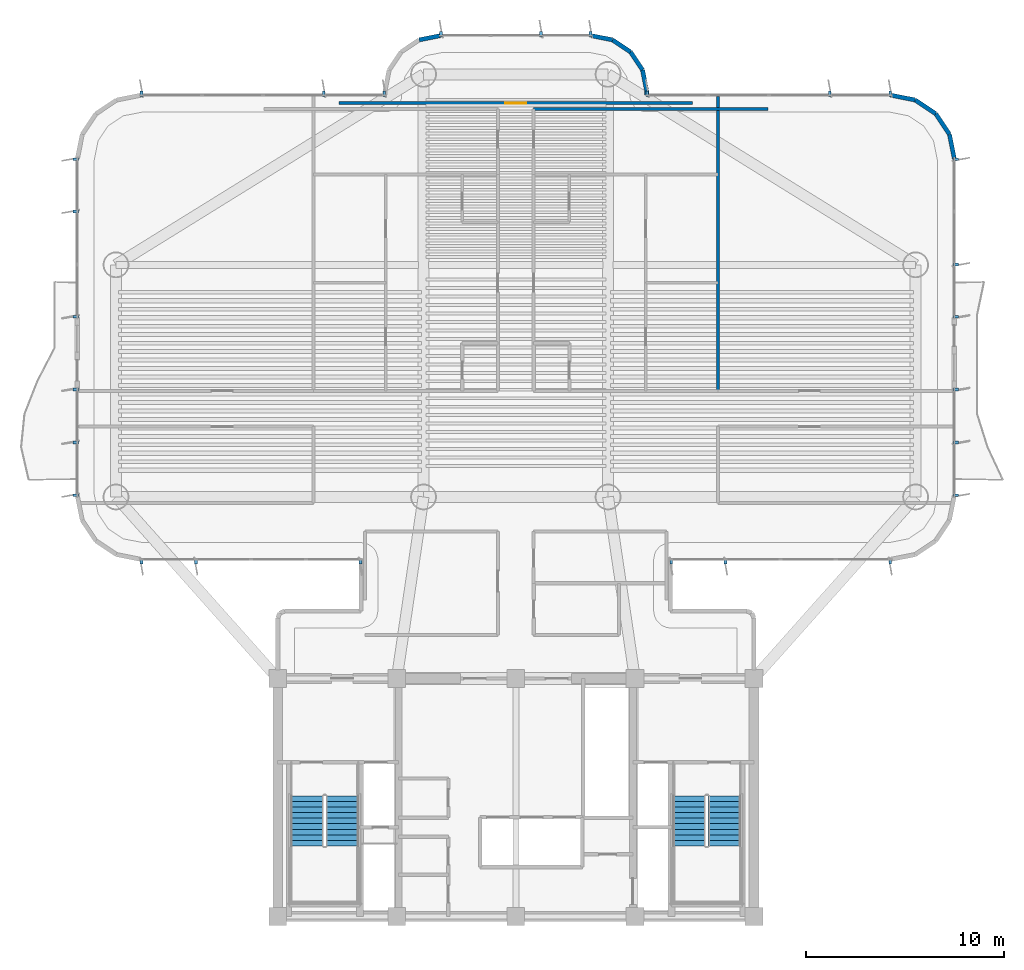
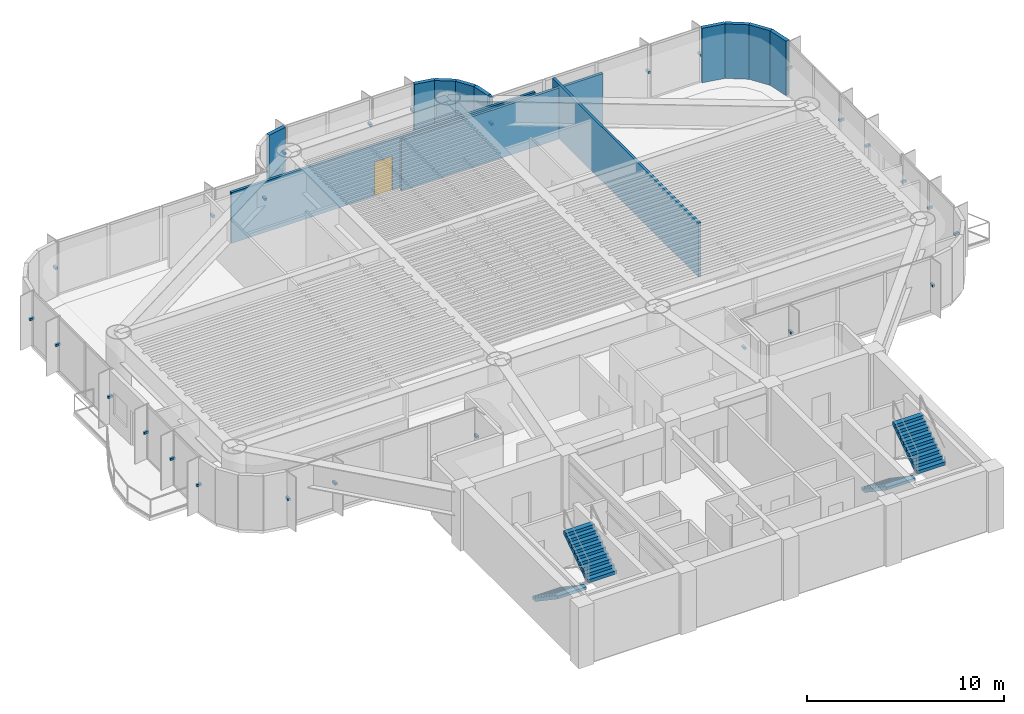
# One storey, part 11 of 15: 27 discrete accessories, 13 walls, 4 stair flights, 1 door, 1 opening, 2 elements without a shape of their own.
"""IFC4 building model written with IfcOpenShell, lengths in metres."""

from ifc_helpers import new_model, si_unit, direction, frame, frame_2d, origin, origin_2d, place, context, subcontext, project, spatial, polyline, rectangle, outline, extrude, source, transform, mapped, material, layer, layer_set, type_object, element, fill, aggregate, save


model = new_model("IFC4")

# Units and contexts
model_context = context("Model", 3, precision=1e-05, world=origin(), true_north=direction((0.0, 1.0)))
body_context = subcontext(model_context, "Body", "Model", "MODEL_VIEW")
ifc_project = project(units=[si_unit("LENGTHUNIT", "METRE"), si_unit("AREAUNIT", "SQUARE_METRE"), si_unit("VOLUMEUNIT", "CUBIC_METRE"), si_unit("PLANEANGLEUNIT", "RADIAN"), si_unit("MASSUNIT", "GRAM", prefix="KILO")], contexts=[model_context])

# Site, building, storey
site_placement = place(None, origin())
site = spatial("IfcSite", under=ifc_project, at=site_placement, CompositionType="ELEMENT")
building_placement = place(site_placement, origin())
building = spatial("IfcBuilding", under=site, at=building_placement, Name="Brelvock Crest Care Tower", CompositionType="ELEMENT")
storey_placement = place(building_placement, frame((0.0, 0.0, 142.739990234375)))
storey = spatial("IfcBuildingStorey", under=building, at=storey_placement, Name="L36", CompositionType="ELEMENT", Elevation=142.739990234375)

# Walls
ifc_material_1 = material(Name="Precast concrete N40 (40 MPa)", Category="concrete")
ifc_layer_1 = layer(ifc_material_1, 0.215087890625, Name="WL-EX2")
ifc_layer_set_1 = layer_set([ifc_layer_1], Name="Precast concrete N40 (40 MPa)")
wall_type_1 = type_object("IfcWallType", Name="WL-EX2", PredefinedType="SOLIDWALL", material=ifc_layer_set_1)
for number, where, z_axis, x_axis, name in (
    (1, (31.12841796875, 50.18701171875, 0.0), (0.0, 0.0, 1.0), (0.980829143587, 0.194869677195, 0.0), "L36 Rounded Corner Wall 27"),
    (2, (39.800048828125, 50.39990234375, 0.0), (0.0, 0.0, 1.0), (0.980829143587, -0.194869677195, 0.0), "L36 Rounded Corner Wall 29"),
    (3, (40.87158203125, 50.18701171875, 0.0), (0.0, 0.0, 1.0), (0.831327592857, -0.555782721353, 0.0), "L36 Rounded Corner Wall 30"),
):
    element("IfcWall", number, at=place(storey_placement, frame(where, z_axis=z_axis, x_axis=x_axis)), inside=storey, type_object=wall_type_1, Name=name, PredefinedType="SOLIDWALL", context=body_context, shape_type="SweptSolid", body=[
        extrude(rectangle(XDim=1.092529296875, YDim=0.215087890625, at=frame_2d((0.54638671875, 0.0))), origin(), (0.0, 0.0, 1.0), 3.3720703125),
    ])
wall_1_placement = place(storey_placement, frame((41.77978515625, 49.579833984375, 0.0), z_axis=(0.0, 0.0, 1.0), x_axis=(0.555679482341, -0.831396603857, 0.0)))
element("IfcWall", 4, at=wall_1_placement, inside=storey, type_object=wall_type_1, Name="L36 Rounded Corner Wall 31", PredefinedType="SOLIDWALL", context=body_context, shape_type="SweptSolid", body=[
    extrude(rectangle(XDim=1.0927734375, YDim=0.215087890625, at=frame_2d((0.54638671875, 0.0))), origin(), (0.0, 0.0, 1.0), 3.3720703125),
])
wall_2_placement = place(storey_placement, frame((42.386962890625, 48.67138671875, 0.0), z_axis=(0.0, 0.0, 1.0), x_axis=(0.195127417394, -0.980777900945, 0.0)))
element("IfcWall", 5, at=wall_2_placement, inside=storey, type_object=wall_type_1, Name="L36 Rounded Corner Wall 32", PredefinedType="SOLIDWALL", context=body_context, shape_type="SweptSolid", body=[
    extrude(rectangle(XDim=1.09228515625, YDim=0.215087890625, at=frame_2d((0.546142578125, 0.0))), origin(), (0.0, 0.0, 1.0), 3.3720703125),
])
wall_3_placement = place(storey_placement, frame((42.60009765625, 47.60009765625, 0.0), z_axis=(0.0, 0.0, 1.0), x_axis=(0.0, -1.0, 0.0)))
element("IfcWall", 6, at=wall_3_placement, inside=storey, type_object=wall_type_1, Name="L36 Rounded Corner Wall 33", PredefinedType="SOLIDWALL", context=body_context, shape_type="SweptSolid", body=[
    extrude(rectangle(XDim=0.2001953125, YDim=0.215087890625, at=frame_2d((0.10009765625, 0.0))), origin(), (0.0, 0.0, 1.0), 3.3720703125),
])
for number, where, z_axis, x_axis, name in (
    (7, (54.89990234375, 47.39990234375, 0.0), (0.0, 0.0, 1.0), (0.980813122964, -0.194950295773, 0.0), "L36 Rounded Corner Wall 35"),
    (8, (56.12451171875, 47.156494140625, 0.0), (0.0, 0.0, 1.0), (0.831387912822, -0.555692485475, 0.0), "L36 Rounded Corner Wall 36"),
    (9, (57.16259765625, 46.462646484375, 0.0), (0.0, 0.0, 1.0), (0.555692485475, -0.831387912822, 0.0), "L36 Rounded Corner Wall 37"),
    (10, (57.8564453125, 45.424560546875, 0.0), (0.0, 0.0, 1.0), (0.195138390419, -0.980775717779, 0.0), "L36 Rounded Corner Wall 38"),
):
    element("IfcWall", number, at=place(storey_placement, frame(where, z_axis=z_axis, x_axis=x_axis)), inside=storey, type_object=wall_type_1, Name=name, PredefinedType="SOLIDWALL", context=body_context, shape_type="SweptSolid", body=[
        extrude(rectangle(XDim=1.24853515625, YDim=0.215087890625, at=frame_2d((0.624267578125, 0.0))), origin(), (0.0, 0.0, 1.0), 3.3720703125),
    ])
ifc_material_2 = material(Name="Masonry Blockwork Acoustic Partition", Category="masonry")
ifc_layer_2 = layer(ifc_material_2, 0.14990234375, Name="WL-INT1")
ifc_layer_set_2 = layer_set([ifc_layer_2], Name="Masonry Blockwork Acoustic Partition")
wall_type_2 = type_object("IfcWallType", Name="WL-INT1", PredefinedType="PARTITIONING", material=ifc_layer_set_2)
wall_4_placement = place(storey_placement, frame((36.89990234375, 46.699951171875, 0.0), z_axis=(0.0, 0.0, 1.0), x_axis=(1.0, 0.0, 0.0)))
element("IfcWall", 11, at=wall_4_placement, inside=storey, type_object=wall_type_2, Name="L36 Interior Wall WL-BX-L36-INEN-N", PredefinedType="PARTITIONING", context=body_context, shape_type="SweptSolid", body=[
    extrude(rectangle(XDim=11.800048828125, YDim=0.14990234375, at=frame_2d((5.89990234375, 0.0))), origin(), (0.0, 0.0, 1.0), 3.14990234375),
])

# Wall, opening, door
wall_5_placement = place(storey_placement, frame((27.10009765625, 47.0, 0.0), z_axis=(0.0, 0.0, 1.0), x_axis=(1.0, 0.0, 0.0)))
wall_5 = element("IfcWall", 12, at=wall_5_placement, inside=storey, type_object=wall_type_2, Name="L36 Interior Wall WL-RM-L36-NHUB", PredefinedType="PARTITIONING", context=body_context, shape_type="SweptSolid", body=[
    extrude(rectangle(XDim=17.7998046875, YDim=0.14990234375, at=frame_2d((8.89990234375, 0.0))), origin(), (0.0, 0.0, 1.0), 3.14990234375),
])
opening_placement = place(wall_5_placement, frame((8.375, 0.0, 0.0)))
opening = element("IfcOpeningElement", 13, at=opening_placement, cuts=wall_5, Name="Opening CLD-1", PredefinedType="OPENING", context=body_context, shape_type="SweptSolid", body=[
    extrude(rectangle(XDim=1.050048828125, YDim=2.10009765625, at=origin_2d()), frame((0.52490234375, 0.0849609375, 1.050048828125), z_axis=(0.0, -1.0, 0.0), x_axis=(1.0, 0.0, 0.0)), (0.0, 0.0, 1.0), 0.169921875),
])
ifc_material_3 = material(Name="Engineered Hardwood Timber", Category="wood")
door_type = type_object("IfcDoorType", Name="DR-CLN1", OperationType="NOTDEFINED", PredefinedType="DOOR", material=ifc_material_3)
shared_shape_1 = source(origin(), body_context, "Body", "SweptSolid", [
    extrude(rectangle(XDim=1.050048828125, YDim=2.10009765625, at=origin_2d()), frame((0.52490234375, 0.02490234375, 1.050048828125), z_axis=(0.0, -1.0, 0.0), x_axis=(1.0, 0.0, 0.0)), (0.0, 0.0, 1.0), 0.050048828125),
])
door_placement = place(opening_placement, origin())
door = element("IfcDoor", 14, at=door_placement, inside=storey, type_object=door_type, Name="L36 North Panorama Sunroom Door NHUB", OperationType="SINGLE_SWING_LEFT", OverallHeight=2.10009765625, OverallWidth=1.050048828125, PredefinedType="DOOR", context=body_context, shape_type="MappedRepresentation", body=[
    mapped(shared_shape_1, transform((0.0, 0.0, 0.0), x_axis=(1.0, 0.0, 0.0), y_axis=(0.0, 1.0, 0.0), z_axis=(0.0, 0.0, 1.0), scale=1.0)),
])
fill(opening, door)

# Wall
wall_6_placement = place(storey_placement, frame((46.199951171875, 32.5, 0.0), z_axis=(0.0, 0.0, 1.0), x_axis=(0.0, 1.0, 0.0)))
element("IfcWall", 15, at=wall_6_placement, inside=storey, type_object=wall_type_2, Name="L36 Interior Wall WL-BX-L36-INEO-W", PredefinedType="PARTITIONING", context=body_context, shape_type="SweptSolid", body=[
    extrude(rectangle(XDim=14.821044921875, YDim=0.14990234375, at=frame_2d((7.41064453125, 0.0))), origin(), (0.0, 0.0, 1.0), 3.342041015625),
])

# Stair, stair flights
ifc_material_4 = material(Name="Concrete N40 (40 MPa)", Category="concrete")
stair_type = type_object("IfcStairType", Name="ST-CORE1", PredefinedType="HALF_TURN_STAIR", material=ifc_material_4)
stair_1_placement = place(storey_placement, origin())
stair_1 = element("IfcStair", 16, at=stair_1_placement, inside=storey, type_object=stair_type, Name="L36 Fire-Isolated Core Stair ST-1", PredefinedType="HALF_TURN_STAIR")
stair_flight_type = type_object("IfcStairFlightType", Name="STF-1", PredefinedType="STRAIGHT", material=ifc_material_4)
stair_flight_1_placement = place(storey_placement, frame((25.469970703125, 12.080078125, 0.0), z_axis=(0.0, 0.0, 1.0), x_axis=(0.0, -1.0, 0.0)))
stair_flight_1 = element("IfcStairFlight", 17, at=stair_flight_1_placement, type_object=stair_flight_type, Name="ST-1 flight 1", NumberOfRisers=10, NumberOfTreads=9, PredefinedType="STRAIGHT", RiserHeight=0.189, TreadLength=0.28, context=body_context, shape_type="SweptSolid", body=[
    extrude(outline(polyline([(-0.00390625, -0.014892578125), (-0.00390625, -0.0078125), (-0.00390625, -0.00048828125), (-0.00390625, 0.0068359375), (-0.00390625, 0.01416015625), (-0.00390625, 0.021484375), (-0.00390625, 0.02880859375), (-0.00390625, 0.035888671875), (-0.00390625, 0.043212890625), (-0.00390625, 0.050537109375), (-0.00390625, 0.057861328125), (-0.00390625, 0.065185546875), (-0.00390625, 0.072509765625), (-0.00390625, 0.07958984375), (-0.00390625, 0.0869140625), (-0.00390625, 0.09423828125), (-0.00390625, 0.1015625), (-0.00390625, 0.10888671875), (-0.00390625, 0.1162109375), (-0.00390625, 0.12353515625), (-0.00390625, 0.130615234375), (-0.00390625, 0.137939453125), (-0.00390625, 0.145263671875), (-0.00390625, 0.152587890625), (-0.00390625, 0.159912109375), (-0.00390625, 0.167236328125), (-0.00390625, 0.17431640625), (-0.00390625, 0.181640625), (-0.00390625, 0.18896484375), (0.0, 0.18896484375), (0.280029296875, 0.18896484375), (0.280029296875, 0.3779296875), (0.56005859375, 0.3779296875), (0.56005859375, 0.56689453125), (0.840087890625, 0.56689453125), (0.840087890625, 0.756103515625), (1.1201171875, 0.756103515625), (1.1201171875, 0.945068359375), (1.39990234375, 0.945068359375), (1.39990234375, 1.134033203125), (1.679931640625, 1.134033203125), (1.679931640625, 1.322998046875), (1.9599609375, 1.322998046875), (1.9599609375, 1.511962890625), (2.239990234375, 1.511962890625), (2.239990234375, 1.700927734375), (2.52001953125, 1.700927734375), (2.52392578125, 1.700927734375), (2.523681640625, 1.70068359375), (2.52392578125, 1.700439453125), (2.523681640625, 1.699951171875), (2.52392578125, 1.69970703125), (2.523681640625, 1.699462890625), (2.52392578125, 1.698974609375), (2.523681640625, 1.69873046875), (2.52392578125, 1.698486328125), (2.523681640625, 1.697998046875), (2.52392578125, 1.69775390625), (2.523681640625, 1.697509765625), (2.52392578125, 1.697021484375), (2.523681640625, 1.69677734375), (2.52392578125, 1.696533203125), (2.523681640625, 1.6962890625), (2.52392578125, 1.69580078125), (2.523681640625, 1.695556640625), (2.52392578125, 1.6953125), (2.523681640625, 1.69482421875), (2.52392578125, 1.694580078125), (2.523681640625, 1.6943359375), (2.52392578125, 1.69384765625), (2.523681640625, 1.693603515625), (2.52392578125, 1.693359375), (2.523681640625, 1.69287109375), (2.52392578125, 1.692626953125), (2.523681640625, 1.6923828125), (2.52392578125, 1.69189453125), (2.52001953125, 1.520263671875), (0.267822265625, 0.0), (0.0, 0.0), (0.0, -0.014892578125), (-0.00390625, -0.014892578125)])), frame((0.0, 0.83984375, 0.0), z_axis=(0.0, -1.0, 0.0), x_axis=(1.0, 0.0, 0.0)), (0.0, 0.0, 1.0), 1.679931640625),
])
stair_flight_2_placement = place(storey_placement, frame((27.27001953125, 9.56005859375, 1.889892578125), z_axis=(0.0, 0.0, 1.0), x_axis=(0.0, 1.0, 0.0)))
stair_flight_2 = element("IfcStairFlight", 18, at=stair_flight_2_placement, type_object=stair_flight_type, Name="ST-1 flight 2", NumberOfRisers=10, NumberOfTreads=9, PredefinedType="STRAIGHT", RiserHeight=0.189, TreadLength=0.28, context=body_context, shape_type="SweptSolid", body=[
    extrude(outline(polyline([(-0.00390625, -0.014892578125), (-0.00390625, -0.0078125), (-0.00390625, -0.00048828125), (-0.00390625, 0.0068359375), (-0.00390625, 0.01416015625), (-0.00390625, 0.021484375), (-0.00390625, 0.02880859375), (-0.00390625, 0.035888671875), (-0.00390625, 0.043212890625), (-0.00390625, 0.050537109375), (-0.00390625, 0.057861328125), (-0.00390625, 0.065185546875), (-0.00390625, 0.072509765625), (-0.00390625, 0.07958984375), (-0.00390625, 0.0869140625), (-0.00390625, 0.09423828125), (-0.00390625, 0.1015625), (-0.00390625, 0.10888671875), (-0.00390625, 0.1162109375), (-0.00390625, 0.12353515625), (-0.00390625, 0.130615234375), (-0.00390625, 0.137939453125), (-0.00390625, 0.145263671875), (-0.00390625, 0.152587890625), (-0.00390625, 0.159912109375), (-0.00390625, 0.167236328125), (-0.00390625, 0.17431640625), (-0.00390625, 0.181640625), (-0.00390625, 0.18896484375), (0.0, 0.18896484375), (0.280029296875, 0.18896484375), (0.280029296875, 0.3779296875), (0.56005859375, 0.3779296875), (0.56005859375, 0.56689453125), (0.840087890625, 0.56689453125), (0.840087890625, 0.756103515625), (1.1201171875, 0.756103515625), (1.1201171875, 0.945068359375), (1.39990234375, 0.945068359375), (1.39990234375, 1.134033203125), (1.679931640625, 1.134033203125), (1.679931640625, 1.322998046875), (1.9599609375, 1.322998046875), (1.9599609375, 1.511962890625), (2.239990234375, 1.511962890625), (2.239990234375, 1.700927734375), (2.52001953125, 1.700927734375), (2.52392578125, 1.700927734375), (2.523681640625, 1.70068359375), (2.52392578125, 1.700439453125), (2.523681640625, 1.699951171875), (2.52392578125, 1.69970703125), (2.523681640625, 1.699462890625), (2.52392578125, 1.698974609375), (2.523681640625, 1.69873046875), (2.52392578125, 1.698486328125), (2.523681640625, 1.697998046875), (2.52392578125, 1.69775390625), (2.523681640625, 1.697509765625), (2.52392578125, 1.697021484375), (2.523681640625, 1.69677734375), (2.52392578125, 1.696533203125), (2.523681640625, 1.6962890625), (2.52392578125, 1.69580078125), (2.523681640625, 1.695556640625), (2.52392578125, 1.6953125), (2.523681640625, 1.69482421875), (2.52392578125, 1.694580078125), (2.523681640625, 1.6943359375), (2.52392578125, 1.69384765625), (2.523681640625, 1.693603515625), (2.52392578125, 1.693359375), (2.523681640625, 1.69287109375), (2.52392578125, 1.692626953125), (2.523681640625, 1.6923828125), (2.52392578125, 1.69189453125), (2.52001953125, 1.520263671875), (0.267822265625, 0.0), (0.0, 0.0), (0.0, -0.014892578125), (-0.00390625, -0.014892578125)])), frame((0.0, 0.83984375, 0.0), z_axis=(0.0, -1.0, 0.0), x_axis=(1.0, 0.0, 0.0)), (0.0, 0.0, 1.0), 1.679931640625),
])
aggregate(stair_1, [stair_flight_1, stair_flight_2])

stair_2_placement = place(storey_placement, origin())
stair_2 = element("IfcStair", 19, at=stair_2_placement, inside=storey, type_object=stair_type, Name="L36 Fire-Isolated Core Stair ST-2", PredefinedType="HALF_TURN_STAIR")
stair_flight_3_placement = place(storey_placement, frame((44.72998046875, 12.080078125, 0.0), z_axis=(0.0, 0.0, 1.0), x_axis=(0.0, -1.0, 0.0)))
stair_flight_3 = element("IfcStairFlight", 20, at=stair_flight_3_placement, type_object=stair_flight_type, Name="ST-2 flight 1", NumberOfRisers=10, NumberOfTreads=9, PredefinedType="STRAIGHT", RiserHeight=0.189, TreadLength=0.28, context=body_context, shape_type="SweptSolid", body=[
    extrude(outline(polyline([(-0.00390625, -0.014892578125), (-0.00390625, -0.0078125), (-0.00390625, -0.00048828125), (-0.00390625, 0.0068359375), (-0.00390625, 0.01416015625), (-0.00390625, 0.021484375), (-0.00390625, 0.02880859375), (-0.00390625, 0.035888671875), (-0.00390625, 0.043212890625), (-0.00390625, 0.050537109375), (-0.00390625, 0.057861328125), (-0.00390625, 0.065185546875), (-0.00390625, 0.072509765625), (-0.00390625, 0.07958984375), (-0.00390625, 0.0869140625), (-0.00390625, 0.09423828125), (-0.00390625, 0.1015625), (-0.00390625, 0.10888671875), (-0.00390625, 0.1162109375), (-0.00390625, 0.12353515625), (-0.00390625, 0.130615234375), (-0.00390625, 0.137939453125), (-0.00390625, 0.145263671875), (-0.00390625, 0.152587890625), (-0.00390625, 0.159912109375), (-0.00390625, 0.167236328125), (-0.00390625, 0.17431640625), (-0.00390625, 0.181640625), (-0.00390625, 0.18896484375), (0.0, 0.18896484375), (0.280029296875, 0.18896484375), (0.280029296875, 0.3779296875), (0.56005859375, 0.3779296875), (0.56005859375, 0.56689453125), (0.840087890625, 0.56689453125), (0.840087890625, 0.756103515625), (1.1201171875, 0.756103515625), (1.1201171875, 0.945068359375), (1.39990234375, 0.945068359375), (1.39990234375, 1.134033203125), (1.679931640625, 1.134033203125), (1.679931640625, 1.322998046875), (1.9599609375, 1.322998046875), (1.9599609375, 1.511962890625), (2.239990234375, 1.511962890625), (2.239990234375, 1.700927734375), (2.52001953125, 1.700927734375), (2.52392578125, 1.700927734375), (2.523681640625, 1.70068359375), (2.52392578125, 1.700439453125), (2.523681640625, 1.699951171875), (2.52392578125, 1.69970703125), (2.523681640625, 1.699462890625), (2.52392578125, 1.698974609375), (2.523681640625, 1.69873046875), (2.52392578125, 1.698486328125), (2.523681640625, 1.697998046875), (2.52392578125, 1.69775390625), (2.523681640625, 1.697509765625), (2.52392578125, 1.697021484375), (2.523681640625, 1.69677734375), (2.52392578125, 1.696533203125), (2.523681640625, 1.6962890625), (2.52392578125, 1.69580078125), (2.523681640625, 1.695556640625), (2.52392578125, 1.6953125), (2.523681640625, 1.69482421875), (2.52392578125, 1.694580078125), (2.523681640625, 1.6943359375), (2.52392578125, 1.69384765625), (2.523681640625, 1.693603515625), (2.52392578125, 1.693359375), (2.523681640625, 1.69287109375), (2.52392578125, 1.692626953125), (2.523681640625, 1.6923828125), (2.52392578125, 1.69189453125), (2.52001953125, 1.520263671875), (0.267822265625, 0.0), (0.0, 0.0), (0.0, -0.014892578125), (-0.00390625, -0.014892578125)])), frame((0.0, 0.83984375, 0.0), z_axis=(0.0, -1.0, 0.0), x_axis=(1.0, 0.0, 0.0)), (0.0, 0.0, 1.0), 1.679931640625),
])
stair_flight_4_placement = place(storey_placement, frame((46.530029296875, 9.56005859375, 1.889892578125), z_axis=(0.0, 0.0, 1.0), x_axis=(0.0, 1.0, 0.0)))
stair_flight_4 = element("IfcStairFlight", 21, at=stair_flight_4_placement, type_object=stair_flight_type, Name="ST-2 flight 2", NumberOfRisers=10, NumberOfTreads=9, PredefinedType="STRAIGHT", RiserHeight=0.189, TreadLength=0.28, context=body_context, shape_type="SweptSolid", body=[
    extrude(outline(polyline([(-0.00390625, -0.014892578125), (-0.00390625, -0.0078125), (-0.00390625, -0.00048828125), (-0.00390625, 0.0068359375), (-0.00390625, 0.01416015625), (-0.00390625, 0.021484375), (-0.00390625, 0.02880859375), (-0.00390625, 0.035888671875), (-0.00390625, 0.043212890625), (-0.00390625, 0.050537109375), (-0.00390625, 0.057861328125), (-0.00390625, 0.065185546875), (-0.00390625, 0.072509765625), (-0.00390625, 0.07958984375), (-0.00390625, 0.0869140625), (-0.00390625, 0.09423828125), (-0.00390625, 0.1015625), (-0.00390625, 0.10888671875), (-0.00390625, 0.1162109375), (-0.00390625, 0.12353515625), (-0.00390625, 0.130615234375), (-0.00390625, 0.137939453125), (-0.00390625, 0.145263671875), (-0.00390625, 0.152587890625), (-0.00390625, 0.159912109375), (-0.00390625, 0.167236328125), (-0.00390625, 0.17431640625), (-0.00390625, 0.181640625), (-0.00390625, 0.18896484375), (0.0, 0.18896484375), (0.280029296875, 0.18896484375), (0.280029296875, 0.3779296875), (0.56005859375, 0.3779296875), (0.56005859375, 0.56689453125), (0.840087890625, 0.56689453125), (0.840087890625, 0.756103515625), (1.1201171875, 0.756103515625), (1.1201171875, 0.945068359375), (1.39990234375, 0.945068359375), (1.39990234375, 1.134033203125), (1.679931640625, 1.134033203125), (1.679931640625, 1.322998046875), (1.9599609375, 1.322998046875), (1.9599609375, 1.511962890625), (2.239990234375, 1.511962890625), (2.239990234375, 1.700927734375), (2.52001953125, 1.700927734375), (2.52392578125, 1.700927734375), (2.523681640625, 1.70068359375), (2.52392578125, 1.700439453125), (2.523681640625, 1.699951171875), (2.52392578125, 1.69970703125), (2.523681640625, 1.699462890625), (2.52392578125, 1.698974609375), (2.523681640625, 1.69873046875), (2.52392578125, 1.698486328125), (2.523681640625, 1.697998046875), (2.52392578125, 1.69775390625), (2.523681640625, 1.697509765625), (2.52392578125, 1.697021484375), (2.523681640625, 1.69677734375), (2.52392578125, 1.696533203125), (2.523681640625, 1.6962890625), (2.52392578125, 1.69580078125), (2.523681640625, 1.695556640625), (2.52392578125, 1.6953125), (2.523681640625, 1.69482421875), (2.52392578125, 1.694580078125), (2.523681640625, 1.6943359375), (2.52392578125, 1.69384765625), (2.523681640625, 1.693603515625), (2.52392578125, 1.693359375), (2.523681640625, 1.69287109375), (2.52392578125, 1.692626953125), (2.523681640625, 1.6923828125), (2.52392578125, 1.69189453125), (2.52001953125, 1.520263671875), (0.267822265625, 0.0), (0.0, 0.0), (0.0, -0.014892578125), (-0.00390625, -0.014892578125)])), frame((0.0, 0.83984375, 0.0), z_axis=(0.0, -1.0, 0.0), x_axis=(1.0, 0.0, 0.0)), (0.0, 0.0, 1.0), 1.679931640625),
])
aggregate(stair_2, [stair_flight_3, stair_flight_4])

# Discrete accessories
ifc_material_5 = material(Name="Steel Grade 350", Category="steel")
discrete_accessory_type = type_object("IfcDiscreteAccessoryType", Name="ACC-BRK1", PredefinedType="BRACKET", material=ifc_material_5)
shared_shape_2 = source(origin(), body_context, "Body", "SweptSolid", [
    extrude(rectangle(XDim=0.280029296875, YDim=0.139892578125, at=origin_2d()), origin(), (0.0, 0.0, 1.0), 0.139892578125),
])
for number, where, z_axis, x_axis, name in (
    (22, (28.169921875, 23.919921875, 1.6162109375), (0.0, 0.0, 1.0), (0.0, -1.0, 0.0), "L36 Facade Fin Bracket E12-01"),
    (23, (19.875, 23.919921875, 1.6162109375), (0.0, 0.0, 1.0), (0.0, -1.0, 0.0), "L36 Facade Fin Bracket E12-04"),
    (24, (17.1298828125, 23.919921875, 1.6162109375), (0.0, 0.0, 1.0), (0.0, -1.0, 0.0), "L36 Facade Fin Bracket E12-05"),
    (25, (13.820068359375, 27.22998046875, 1.6162109375), (0.0, 0.0, 1.0), (-1.0, 0.0, 0.0), "L36 Facade Fin Bracket E17A-01"),
    (26, (13.820068359375, 29.89990234375, 1.6162109375), (0.0, 0.0, 1.0), (-1.0, 0.0, 0.0), "L36 Facade Fin Bracket E17A-02"),
    (27, (13.820068359375, 32.570068359375, 1.6162109375), (0.0, 0.0, 1.0), (-1.0, 0.0, 0.0), "L36 Facade Fin Bracket E17A-03"),
    (28, (13.820068359375, 36.22998046875, 1.6162109375), (0.0, 0.0, 1.0), (-1.0, 0.0, 0.0), "L36 Facade Fin Bracket E17B-01"),
    (29, (13.820068359375, 41.533203125, 1.6162109375), (0.0, 0.0, 1.0), (-1.0, 0.0, 0.0), "L36 Facade Fin Bracket E17B-03"),
    (30, (13.820068359375, 44.169921875, 1.6162109375), (0.0, 0.0, 1.0), (-1.0, 0.0, 0.0), "L36 Facade Fin Bracket E17B-04"),
    (31, (17.1298828125, 47.47998046875, 1.6162109375), (0.0, 0.0, 1.0), (0.0, 1.0, 0.0), "L36 Facade Fin Bracket E22-01"),
    (32, (26.324951171875, 47.47998046875, 1.6162109375), (0.0, 0.0, 1.0), (0.0, 1.0, 0.0), "L36 Facade Fin Bracket E22-04"),
    (33, (29.3701171875, 47.47998046875, 1.6162109375), (0.0, 0.0, 1.0), (0.0, 1.0, 0.0), "L36 Facade Fin Bracket E22-05"),
    (34, (32.22998046875, 50.47998046875, 1.6162109375), (0.0, 0.0, 1.0), (0.0, 1.0, 0.0), "L36 Facade Fin Bracket E28-01"),
    (35, (37.2666015625, 50.47998046875, 1.6162109375), (0.0, 0.0, 1.0), (0.0, 1.0, 0.0), "L36 Facade Fin Bracket E28-03"),
    (36, (39.77001953125, 50.47998046875, 1.6162109375), (0.0, 0.0, 1.0), (0.0, 1.0, 0.0), "L36 Facade Fin Bracket E28-04"),
    (37, (42.6298828125, 47.47998046875, 1.6162109375), (0.0, 0.0, 1.0), (0.0, 1.0, 0.0), "L36 Facade Fin Bracket E34-01"),
    (38, (51.824951171875, 47.47998046875, 1.6162109375), (0.0, 0.0, 1.0), (0.0, 1.0, 0.0), "L36 Facade Fin Bracket E34-04"),
    (39, (54.8701171875, 47.47998046875, 1.6162109375), (0.0, 0.0, 1.0), (0.0, 1.0, 0.0), "L36 Facade Fin Bracket E34-05"),
    (40, (58.179931640625, 44.169921875, 1.6162109375), (0.0, 0.0, 1.0), (1.0, 0.0, 0.0), "L36 Facade Fin Bracket E39A-01"),
    (41, (58.179931640625, 38.86669921875, 1.6162109375), (0.0, 0.0, 1.0), (1.0, 0.0, 0.0), "L36 Facade Fin Bracket E39A-03"),
    (42, (58.179931640625, 36.22998046875, 1.6162109375), (0.0, 0.0, 1.0), (1.0, 0.0, 0.0), "L36 Facade Fin Bracket E39A-04"),
    (43, (58.179931640625, 32.570068359375, 1.6162109375), (0.0, 0.0, 1.0), (1.0, 0.0, 0.0), "L36 Facade Fin Bracket E39B-01"),
    (44, (58.179931640625, 29.89990234375, 1.6162109375), (0.0, 0.0, 1.0), (1.0, 0.0, 0.0), "L36 Facade Fin Bracket E39B-02"),
    (45, (58.179931640625, 27.22998046875, 1.6162109375), (0.0, 0.0, 1.0), (1.0, 0.0, 0.0), "L36 Facade Fin Bracket E39B-03"),
    (46, (54.8701171875, 23.919921875, 1.6162109375), (0.0, 0.0, 1.0), (0.0, -1.0, 0.0), "L36 Facade Fin Bracket E44-01"),
    (47, (46.574951171875, 23.919921875, 1.6162109375), (0.0, 0.0, 1.0), (0.0, -1.0, 0.0), "L36 Facade Fin Bracket E44-04"),
    (48, (43.830078125, 23.919921875, 1.6162109375), (0.0, 0.0, 1.0), (0.0, -1.0, 0.0), "L36 Facade Fin Bracket E44-05"),
):
    element("IfcDiscreteAccessory", number, at=place(storey_placement, frame(where, z_axis=z_axis, x_axis=x_axis)), inside=storey, type_object=discrete_accessory_type, Name=name, PredefinedType="BRACKET", context=body_context, shape_type="MappedRepresentation", body=[
        mapped(shared_shape_2, transform((0.0, 0.0, 0.0), x_axis=(1.0, 0.0, 0.0), y_axis=(0.0, 1.0, 0.0), z_axis=(0.0, 0.0, 1.0), scale=1.0)),
    ])

save(model, "model.ifc")
